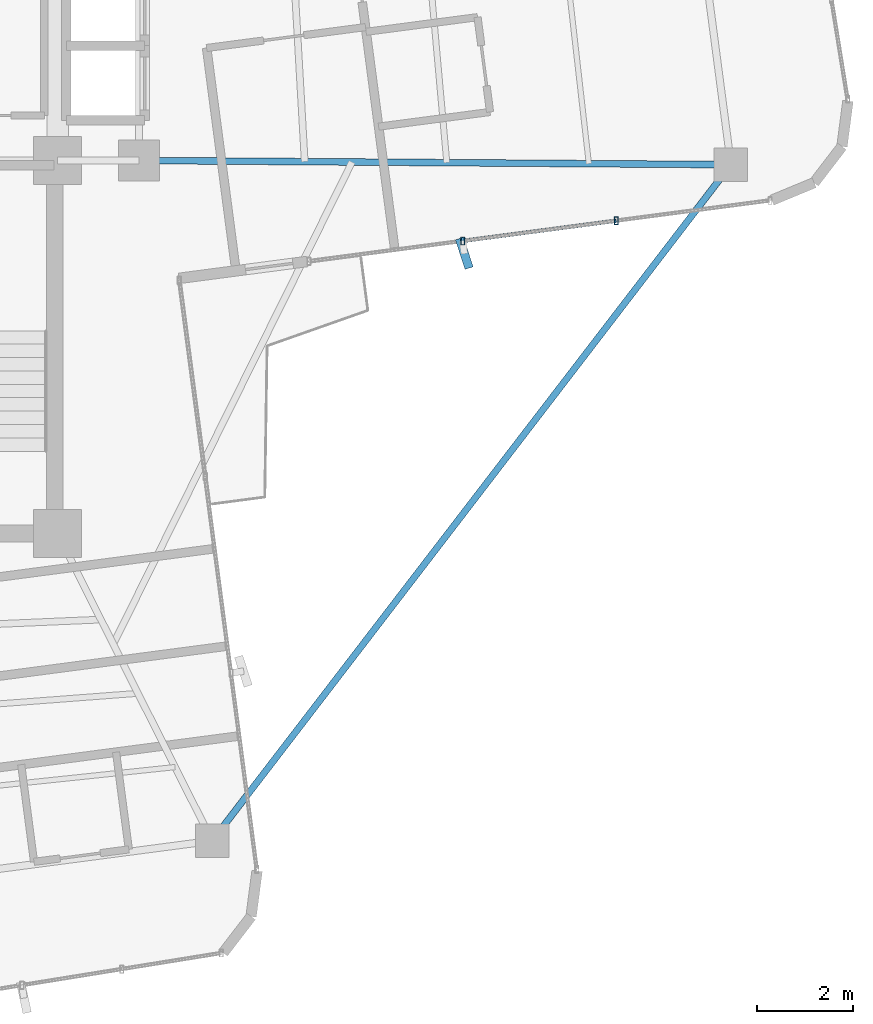
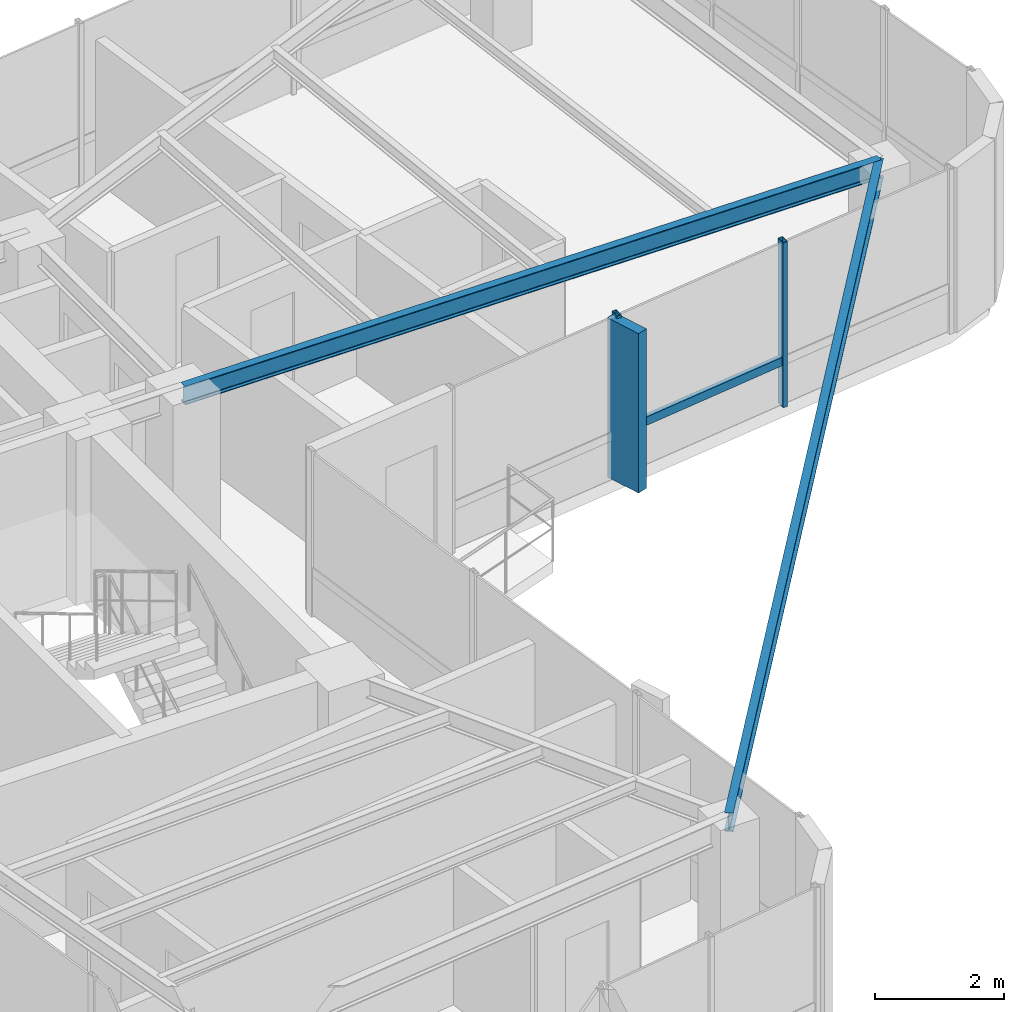
# One storey, part 11 of 21: 4 members, 2 beams, 1 element without a shape of its own.
"""IFC4 building model written with IfcOpenShell, lengths in metres."""

from ifc_helpers import new_model, si_unit, direction, frame, origin, origin_2d, place, context, subcontext, project, spatial, rectangle, hollow_rectangle, i_section, extrude, source, transform, mapped, material, material_profile, profile_set, type_object, element, aggregate, save


model = new_model("IFC4")

# Units and contexts
model_context = context("Model", 3, precision=1e-05, world=origin(), true_north=direction((0.0, 1.0)))
body_context = subcontext(model_context, "Body", "Model", "MODEL_VIEW")
ifc_project = project(units=[si_unit("LENGTHUNIT", "METRE"), si_unit("AREAUNIT", "SQUARE_METRE"), si_unit("VOLUMEUNIT", "CUBIC_METRE"), si_unit("PLANEANGLEUNIT", "RADIAN"), si_unit("MASSUNIT", "GRAM", prefix="KILO")], contexts=[model_context])

# Site, building, storey
site_placement = place(None, origin())
site = spatial("IfcSite", under=ifc_project, at=site_placement, CompositionType="ELEMENT")
building_placement = place(site_placement, origin())
building = spatial("IfcBuilding", under=site, at=building_placement, Name="Sahyath Konkavel Grand Hotel", CompositionType="ELEMENT")
storey_placement = place(building_placement, frame((0.0, 0.0, 209.85009765625)))
storey = spatial("IfcBuildingStorey", under=building, at=storey_placement, Name="L58", CompositionType="ELEMENT", Elevation=209.85009765625)

# Beams
ifc_material_1 = material(Name="Steel E350", Category="steel")
ifc_material_profile_1 = material_profile(ifc_material_1, i_section(OverallWidth=0.139892578125, OverallDepth=0.35009765625, WebThickness=0.008056640625, FlangeThickness=0.01416015625, FilletRadius=0.013916015625, at=origin_2d()), Name="ISMB 350")
ifc_profile_set_1 = profile_set([ifc_material_profile_1], Name="Steel E350")
beam_type = type_object("IfcBeamType", Name="BM-ISMB350", PredefinedType="BEAM", material=ifc_profile_set_1)
shared_shape_1 = source(origin(), body_context, "Body", "SweptSolid", [
    extrude(i_section(OverallWidth=0.139892578125, OverallDepth=0.35009765625, WebThickness=0.008056640625, FlangeThickness=0.01416015625, FilletRadius=0.013916015625, at=origin_2d()), origin(), (0.0, 0.0, 1.0), 12.3779296875),
])
beam_1_placement = place(storey_placement, frame((5.5, -2.39990234375, 2.934814453125), z_axis=(0.999974790757, -0.007100552766, 0.0), x_axis=(0.007100552766, 0.999974790757, 0.0)))
element("IfcBeam", 1, at=beam_1_placement, inside=storey, type_object=beam_type, Name="L58 Cruciform Radial Girder EA", PredefinedType="BEAM", context=body_context, shape_type="MappedRepresentation", body=[
    mapped(shared_shape_1, transform((0.0, 0.0, 0.0), scale=1.0)),
])
shared_shape_2 = source(origin(), body_context, "Body", "SweptSolid", [
    extrude(i_section(OverallWidth=0.139892578125, OverallDepth=0.35009765625, WebThickness=0.008056640625, FlangeThickness=0.01416015625, FilletRadius=0.013916015625, at=origin_2d()), origin(), (0.0, 0.0, 1.0), 17.819091796875),
])
beam_2_placement = place(storey_placement, frame((17.877685546875, -2.48779296875, 2.934814453125), z_axis=(-0.608767449027, -0.793348720932, 0.0), x_axis=(0.793348720932, -0.608767449027, 0.0)))
element("IfcBeam", 2, at=beam_2_placement, inside=storey, type_object=beam_type, Name="L58 Re-Entrant Tie Beam SE", PredefinedType="BEAM", context=body_context, shape_type="MappedRepresentation", body=[
    mapped(shared_shape_2, transform((0.0, 0.0, 0.0), scale=1.0)),
])

# Curtain wall, members
ifc_material_2 = material(Name="Anodised Bronze Aluminium & Low-E Glazing", Category="aluminium")
curtain_wall_type = type_object("IfcCurtainWallType", Name="CW-ZONE4", PredefinedType="NOTDEFINED", material=ifc_material_2)
curtain_wall_placement = place(storey_placement, origin())
curtain_wall = element("IfcCurtainWall", 3, at=curtain_wall_placement, inside=storey, type_object=curtain_wall_type, Name="L58 Unitised Curtain Wall F0", PredefinedType="NOTDEFINED")
ifc_material_3 = material(Name="Anodised Bronze Aluminium", Category="aluminium")
ifc_material_profile_2 = material_profile(ifc_material_3, hollow_rectangle(XDim=0.080078125, YDim=0.159912109375, WallThickness=0.006103515625, at=origin_2d()), Name="RHS 160x80x6")
ifc_profile_set_2 = profile_set([ifc_material_profile_2], Name="Anodised Bronze Aluminium")
member_type_1 = type_object("IfcMemberType", Name="CW-MUL-160", PredefinedType="MULLION", material=ifc_profile_set_2)
shared_shape_3 = source(origin(), body_context, "Body", "SweptSolid", [
    extrude(hollow_rectangle(XDim=0.080078125, YDim=0.159912109375, WallThickness=0.006103515625, at=origin_2d()), origin(), (0.0, 0.0, 1.0), 3.10986328125),
])
member_1_placement = place(storey_placement, frame((12.26806640625, -4.083740234375, 0.0), z_axis=(0.0, 0.0, 1.0), x_axis=(1.0, 0.0, 0.0)))
member_1 = element("IfcMember", 4, at=member_1_placement, type_object=member_type_1, Name="L58 Curtain Wall Mullion F0-1", PredefinedType="MULLION", context=body_context, shape_type="MappedRepresentation", body=[
    mapped(shared_shape_3, transform((0.0, 0.0, 0.0), scale=1.0)),
])
member_2_placement = place(storey_placement, frame((15.480224609375, -3.66064453125, 0.0), z_axis=(0.0, 0.0, 1.0), x_axis=(1.0, 0.0, 0.0)))
member_2 = element("IfcMember", 5, at=member_2_placement, type_object=member_type_1, Name="L58 Curtain Wall Mullion F0-2", PredefinedType="MULLION", context=body_context, shape_type="MappedRepresentation", body=[
    mapped(shared_shape_3, transform((0.0, 0.0, 0.0), scale=1.0)),
])
ifc_material_4 = material(Name="Warm Buff Sandstone Cladding on Concrete C50/60", Category="masonry")
ifc_material_profile_3 = material_profile(ifc_material_4, rectangle(XDim=0.179931640625, YDim=0.64990234375, at=origin_2d()), Name="FIN 180x650")
ifc_profile_set_3 = profile_set([ifc_material_profile_3], Name="Warm Buff Sandstone Cladding on Concrete C50/60")
member_type_2 = type_object("IfcMemberType", Name="FIN-SANDSTONE-650", PredefinedType="MULLION", material=ifc_profile_set_3)
shared_shape_4 = source(origin(), body_context, "Body", "SweptSolid", [
    extrude(rectangle(XDim=0.179931640625, YDim=0.64990234375, at=origin_2d()), origin(), (0.0, 0.0, 1.0), 3.010009765625),
])
member_3_placement = place(storey_placement, frame((12.302001953125, -4.341552734375, 0.0498046875), z_axis=(0.0, 0.0, 1.0), x_axis=(0.951164325631, 0.308684994204, 0.0)))
member_3 = element("IfcMember", 6, at=member_3_placement, type_object=member_type_2, Name="L58 Sandstone Vertical Solar Fin FIN F0-1", PredefinedType="MULLION", context=body_context, shape_type="MappedRepresentation", body=[
    mapped(shared_shape_4, transform((0.0, 0.0, 0.0), scale=1.0)),
])
ifc_material_profile_4 = material_profile(ifc_material_3, hollow_rectangle(XDim=0.080078125, YDim=0.159912109375, WallThickness=0.006103515625, at=origin_2d()), Name="RHS 160x80x6")
ifc_profile_set_4 = profile_set([ifc_material_profile_4], Name="Anodised Bronze Aluminium")
member_type_3 = type_object("IfcMemberType", Name="CW-TRN-160", PredefinedType="USERDEFINED", material=ifc_profile_set_4)
shared_shape_5 = source(origin(), body_context, "Body", "SweptSolid", [
    extrude(hollow_rectangle(XDim=0.080078125, YDim=0.159912109375, WallThickness=0.006103515625, at=origin_2d()), origin(), (0.0, 0.0, 1.0), 3.239990234375),
])
member_4_placement = place(storey_placement, frame((12.26806640625, -4.083740234375, 0.849853515625), z_axis=(0.991436589187, 0.130589010341, 0.0), x_axis=(-0.130589010341, 0.991436589187, 0.0)))
member_4 = element("IfcMember", 7, at=member_4_placement, type_object=member_type_3, Name="L58 Curtain Wall Transom F0-1-spandrel", ObjectType="TRANSOM", PredefinedType="USERDEFINED", context=body_context, shape_type="MappedRepresentation", body=[
    mapped(shared_shape_5, transform((0.0, 0.0, 0.0), scale=1.0)),
])
aggregate(curtain_wall, [member_1, member_3, member_2, member_4])

save(model, "model.ifc")
